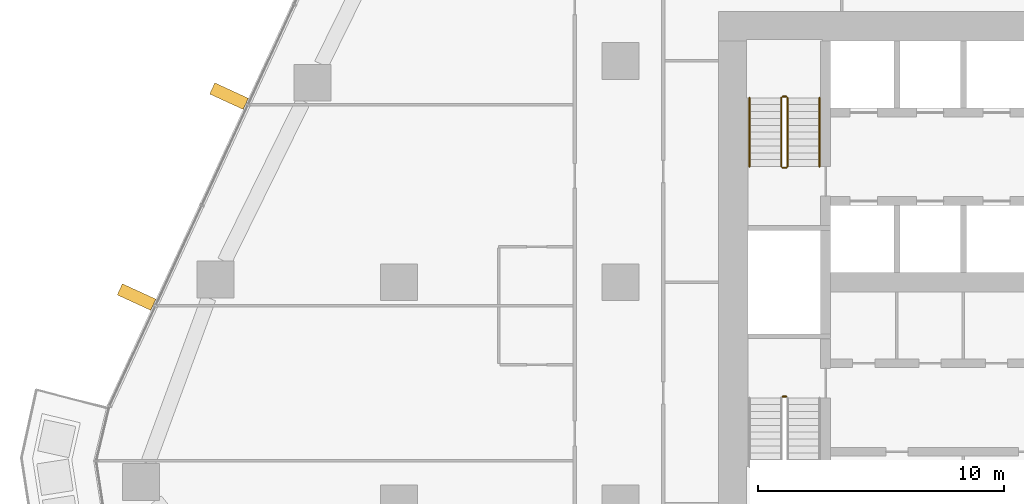
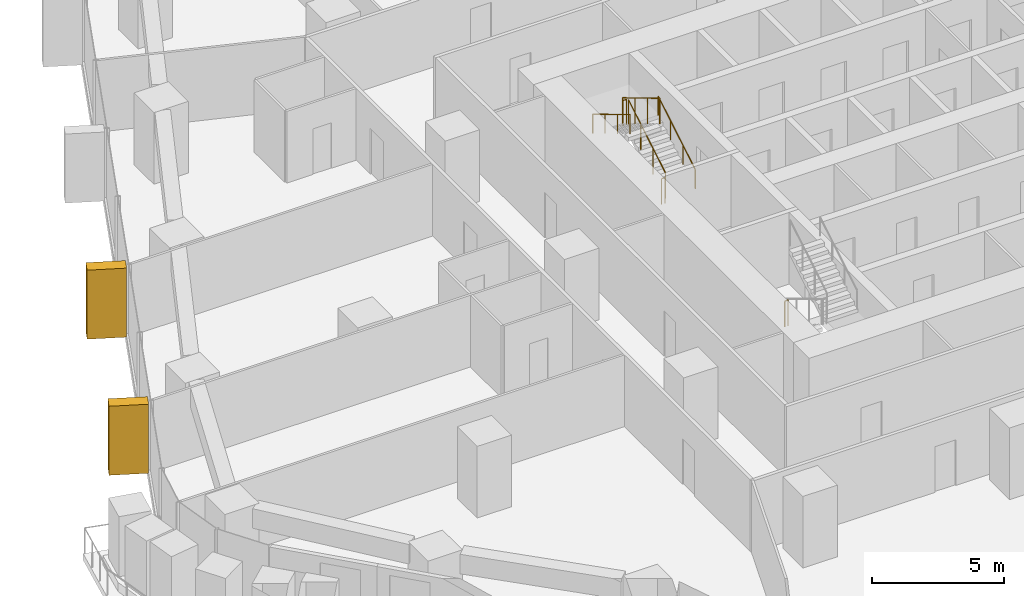
# One storey, part 23 of 26: 7 railings, 2 coverings, 1 element without a shape of its own.
"""IFC4 building model written with IfcOpenShell, lengths in metres."""

from ifc_helpers import new_model, si_unit, direction, frame, origin, origin_2d, place, context, subcontext, project, spatial, rectangle, circle, extrude, material, layer, layer_set, material_profile, profile_set, type_object, element, aggregate, save


model = new_model("IFC4")

# Units and contexts
model_context = context("Model", 3, precision=1e-05, world=origin(), true_north=direction((0.0, 1.0)))
body_context = subcontext(model_context, "Body", "Model", "MODEL_VIEW")
ifc_project = project(units=[si_unit("LENGTHUNIT", "METRE"), si_unit("AREAUNIT", "SQUARE_METRE"), si_unit("VOLUMEUNIT", "CUBIC_METRE"), si_unit("PLANEANGLEUNIT", "RADIAN"), si_unit("MASSUNIT", "GRAM", prefix="KILO")], contexts=[model_context])

# Site, building, storey
site_placement = place(None, origin())
site = spatial("IfcSite", under=ifc_project, at=site_placement, CompositionType="ELEMENT")
building_placement = place(site_placement, origin())
building = spatial("IfcBuilding", under=site, at=building_placement, Name="Dongbaek Canopy Tower", CompositionType="ELEMENT")
storey_placement = place(building_placement, frame((0.0, 0.0, 66.199951171875)))
storey = spatial("IfcBuildingStorey", under=building, at=storey_placement, Name="L12", CompositionType="ELEMENT", Elevation=66.199951171875)

# Curtain wall, coverings
ifc_material_1 = material(Name="Aluminium 6063-T6 pale anodised", Category="aluminium")
ifc_layer = layer(ifc_material_1, 0.199951171875)
ifc_layer_set = layer_set([ifc_layer], Name="CW-1 unitised tower curtain wall")
curtain_wall_type = type_object("IfcCurtainWallType", Name="CW-1 unitised tower curtain wall", PredefinedType="NOTDEFINED", material=ifc_layer_set)
curtain_wall_placement = place(storey_placement, origin())
curtain_wall = element("IfcCurtainWall", 1, at=curtain_wall_placement, inside=storey, type_object=curtain_wall_type, Name="CW-1 curtain wall F2.1", PredefinedType="NOTDEFINED")
ifc_material_2 = material(Name="Aluminium 6063-T6 pale metal fin", Category="aluminium")
ifc_material_profile = material_profile(ifc_material_2, rectangle(XDim=1.5, YDim=0.5, at=origin_2d()), Name="Fin FN1 500 x 1500 pale metal")
ifc_profile_set = profile_set([ifc_material_profile], Name="Aluminium 6063-T6 pale metal fin")
covering_type = type_object("IfcCoveringType", Name="Fin FN1 500 x 1500 pale metal", PredefinedType="CLADDING", material=ifc_profile_set)
covering_1_placement = place(storey_placement, frame((-33.913818359375, 7.56591796875, 0.1201171875), z_axis=(0.0, 0.0, 1.0), x_axis=(-0.908435687115, 0.418024643264, 0.0)))
covering_1 = element("IfcCovering", 2, at=covering_1_placement, type_object=covering_type, Name="Fin F2.1.7", PredefinedType="CLADDING", context=body_context, shape_type="SweptSolid", body=[
    extrude(rectangle(XDim=1.5, YDim=0.5, at=origin_2d()), origin(), (0.0, 0.0, 1.0), 3.179931640625),
])
covering_2_placement = place(storey_placement, frame((-37.67333984375, -0.603759765625, 0.1201171875), z_axis=(0.0, 0.0, 1.0), x_axis=(-0.908435687115, 0.418024643264, 0.0)))
covering_2 = element("IfcCovering", 3, at=covering_2_placement, type_object=covering_type, Name="Fin F2.1.9", PredefinedType="CLADDING", context=body_context, shape_type="SweptSolid", body=[
    extrude(rectangle(XDim=1.5, YDim=0.5, at=origin_2d()), origin(), (0.0, 0.0, 1.0), 3.179931640625),
])
aggregate(curtain_wall, [covering_1, covering_2])

# Railings
ifc_material_3 = material(Name="Stainless steel tube and balusters", Category="steel")
railing_type_1 = type_object("IfcRailingType", Name="Stair guard 1200", PredefinedType="GUARDRAIL", material=ifc_material_3)
railing_1_placement = place(storey_placement, frame((-11.199951171875, 4.699951171875, 0.168212890625)))
element("IfcRailing", 4, at=railing_1_placement, inside=storey, type_object=railing_type_1, Name="L12 ST-C stair guard 1", PredefinedType="GUARDRAIL", context=body_context, shape_type="SweptSolid", body=[
    extrude(circle(Radius=0.02392578125, at=origin_2d()), frame((0.0, 0.0, 1.17578125), z_axis=(0.0, 0.857242210791, 0.514913383045), x_axis=(-1.0, 0.0, 0.0)), (0.0, 0.0, 1.0), 3.266357421875),
    extrude(circle(Radius=0.02099609375, at=origin_2d()), origin(), (0.0, 0.0, 1.0), 1.15185546875),
    extrude(circle(Radius=0.02099609375, at=origin_2d()), frame((0.0, 0.933349609375, 0.560546875)), (0.0, 0.0, 1.0), 1.15185546875),
    extrude(circle(Radius=0.02099609375, at=origin_2d()), frame((0.0, 1.86669921875, 1.121337890625)), (0.0, 0.0, 1.0), 1.15185546875),
    extrude(circle(Radius=0.02099609375, at=origin_2d()), frame((0.0, 2.800048828125, 1.681884765625)), (0.0, 0.0, 1.0), 1.15185546875),
])
railing_2_placement = place(storey_placement, frame((-11.25, 7.550048828125, 1.85009765625)))
element("IfcRailing", 5, at=railing_2_placement, inside=storey, type_object=railing_type_1, Name="L12 ST-C stair guard 2", PredefinedType="GUARDRAIL", context=body_context, shape_type="SweptSolid", body=[
    extrude(circle(Radius=0.02392578125, at=origin_2d()), frame((0.0, 0.0, 1.17578125), z_axis=(-1.0, 0.0, 0.0), x_axis=(0.0, -1.0, 0.0)), (0.0, 0.0, 1.0), 0.14990234375),
    extrude(circle(Radius=0.02099609375, at=origin_2d()), origin(), (0.0, 0.0, 1.0), 1.15185546875),
    extrude(circle(Radius=0.02099609375, at=origin_2d()), frame((-0.14990234375, 0.0, 0.0)), (0.0, 0.0, 1.0), 1.15185546875),
])
railing_3_placement = place(storey_placement, frame((-11.449951171875, 7.5, 2.018310546875)))
element("IfcRailing", 6, at=railing_3_placement, inside=storey, type_object=railing_type_1, Name="L12 ST-C stair guard 3", PredefinedType="GUARDRAIL", context=body_context, shape_type="SweptSolid", body=[
    extrude(circle(Radius=0.02392578125, at=origin_2d()), frame((0.0, 0.0, 1.17578125), z_axis=(0.0, -0.857275202839, 0.514858452973), x_axis=(1.0, 0.0, 0.0)), (0.0, 0.0, 1.0), 3.26611328125),
    extrude(circle(Radius=0.02099609375, at=origin_2d()), origin(), (0.0, 0.0, 1.0), 1.15185546875),
    extrude(circle(Radius=0.02099609375, at=origin_2d()), frame((0.0, -0.933349609375, 0.560546875)), (0.0, 0.0, 1.0), 1.15185546875),
    extrude(circle(Radius=0.02099609375, at=origin_2d()), frame((0.0, -1.86669921875, 1.12109375)), (0.0, 0.0, 1.0), 1.15185546875),
    extrude(circle(Radius=0.02099609375, at=origin_2d()), frame((0.0, -2.800048828125, 1.681640625)), (0.0, 0.0, 1.0), 1.15185546875),
])
railing_4_placement = place(storey_placement, frame((-11.25, 4.64990234375, 0.0)))
element("IfcRailing", 7, at=railing_4_placement, inside=storey, type_object=railing_type_1, Name="L12 ST-C stair guard 4", PredefinedType="GUARDRAIL", context=body_context, shape_type="SweptSolid", body=[
    extrude(circle(Radius=0.02392578125, at=origin_2d()), frame((0.0, 0.0, 1.17578125), z_axis=(-1.0, 0.0, 0.0), x_axis=(0.0, -1.0, 0.0)), (0.0, 0.0, 1.0), 0.14990234375),
    extrude(circle(Radius=0.02099609375, at=origin_2d()), origin(), (0.0, 0.0, 1.0), 1.15185546875),
    extrude(circle(Radius=0.02099609375, at=origin_2d()), frame((-0.14990234375, 0.0, 0.0)), (0.0, 0.0, 1.0), 1.15185546875),
])
railing_5_placement = place(storey_placement, frame((-11.39990234375, -4.64990234375, 0.0)))
element("IfcRailing", 8, at=railing_5_placement, inside=storey, type_object=railing_type_1, Name="L12 ST-D stair guard 4", PredefinedType="GUARDRAIL", context=body_context, shape_type="SweptSolid", body=[
    extrude(circle(Radius=0.02392578125, at=origin_2d()), frame((0.0, 0.0, 1.17578125), z_axis=(1.0, 0.0, 0.0), x_axis=(0.0, 1.0, 0.0)), (0.0, 0.0, 1.0), 0.14990234375),
    extrude(circle(Radius=0.02099609375, at=origin_2d()), origin(), (0.0, 0.0, 1.0), 1.15185546875),
    extrude(circle(Radius=0.02099609375, at=origin_2d()), frame((0.14990234375, 0.0, 0.0)), (0.0, 0.0, 1.0), 1.15185546875),
])
ifc_material_4 = material(Name="Stainless steel tube", Category="steel")
railing_type_2 = type_object("IfcRailingType", Name="Stair handrail 900", PredefinedType="HANDRAIL", material=ifc_material_4)
railing_6_placement = place(storey_placement, frame((-9.89990234375, 4.699951171875, 0.168212890625)))
element("IfcRailing", 9, at=railing_6_placement, inside=storey, type_object=railing_type_2, Name="L12 ST-C stair handrail 1", PredefinedType="HANDRAIL", context=body_context, shape_type="SweptSolid", body=[
    extrude(circle(Radius=0.02392578125, at=origin_2d()), frame((0.0, 0.0, 0.8759765625), z_axis=(0.0, 0.857242210791, 0.514913383045), x_axis=(-1.0, 0.0, 0.0)), (0.0, 0.0, 1.0), 3.266357421875),
    extrude(circle(Radius=0.02099609375, at=origin_2d()), origin(), (0.0, 0.0, 1.0), 0.851806640625),
    extrude(circle(Radius=0.02099609375, at=origin_2d()), frame((0.0, 0.933349609375, 0.560546875)), (0.0, 0.0, 1.0), 0.851806640625),
    extrude(circle(Radius=0.02099609375, at=origin_2d()), frame((0.0, 1.86669921875, 1.121337890625)), (0.0, 0.0, 1.0), 0.851806640625),
    extrude(circle(Radius=0.02099609375, at=origin_2d()), frame((0.0, 2.800048828125, 1.681884765625)), (0.0, 0.0, 1.0), 0.851806640625),
])
railing_7_placement = place(storey_placement, frame((-12.75, 7.5, 2.018310546875)))
element("IfcRailing", 10, at=railing_7_placement, inside=storey, type_object=railing_type_2, Name="L12 ST-C stair handrail 2", PredefinedType="HANDRAIL", context=body_context, shape_type="SweptSolid", body=[
    extrude(circle(Radius=0.02392578125, at=origin_2d()), frame((0.0, 0.0, 0.8759765625), z_axis=(0.0, -0.857275202839, 0.514858452973), x_axis=(1.0, 0.0, 0.0)), (0.0, 0.0, 1.0), 3.26611328125),
    extrude(circle(Radius=0.02099609375, at=origin_2d()), origin(), (0.0, 0.0, 1.0), 0.851806640625),
    extrude(circle(Radius=0.02099609375, at=origin_2d()), frame((0.0, -0.933349609375, 0.560546875)), (0.0, 0.0, 1.0), 0.851806640625),
    extrude(circle(Radius=0.02099609375, at=origin_2d()), frame((0.0, -1.86669921875, 1.12109375)), (0.0, 0.0, 1.0), 0.851806640625),
    extrude(circle(Radius=0.02099609375, at=origin_2d()), frame((0.0, -2.800048828125, 1.681640625)), (0.0, 0.0, 1.0), 0.851806640625),
])

save(model, "model.ifc")
